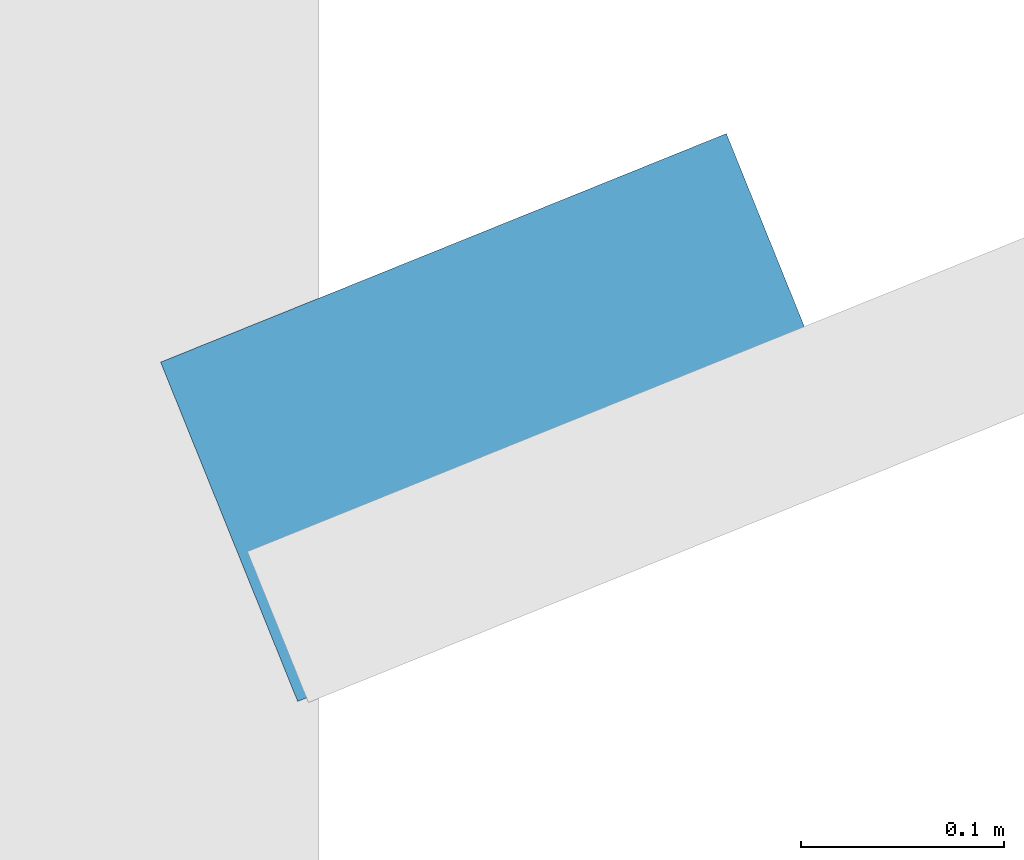
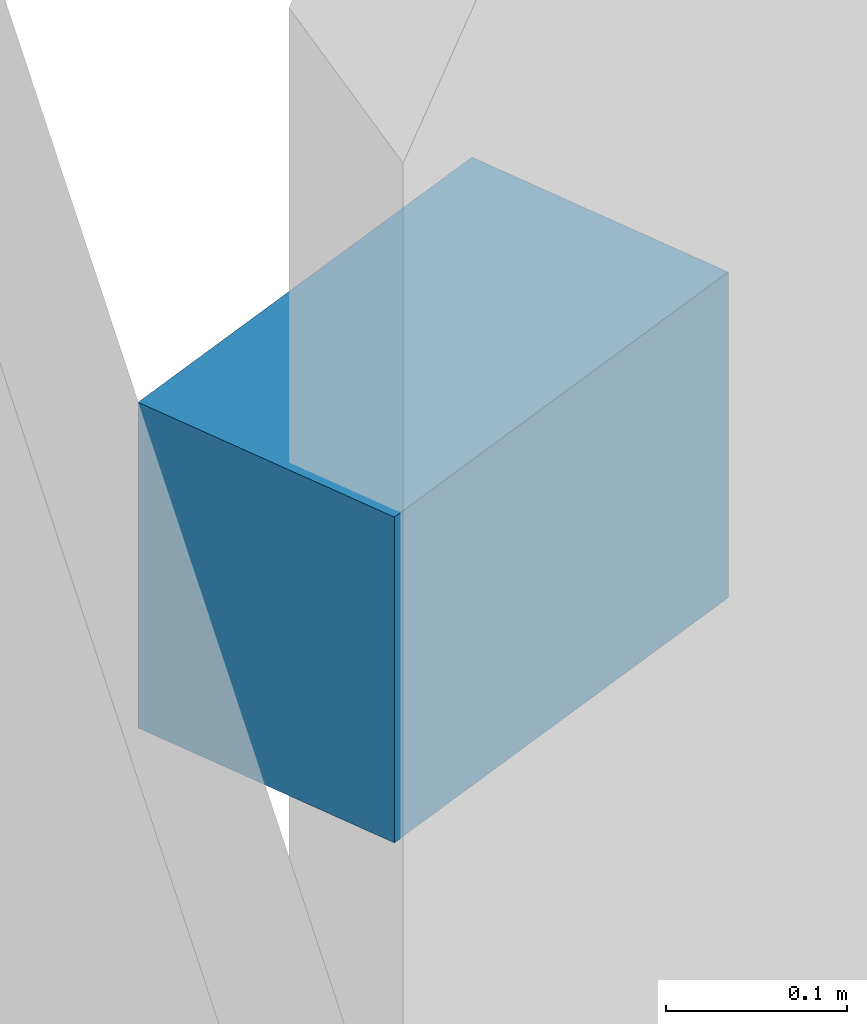
# One storey, part 79 of 89: 1 discrete accessory.
"""IFC4 building model written with IfcOpenShell, lengths in metres."""

from ifc_helpers import new_model, si_unit, direction, frame, origin, origin_2d, place, context, subcontext, project, spatial, rectangle, extrude, material, type_object, element, save


model = new_model("IFC4")

# Units and contexts
model_context = context("Model", 3, precision=1e-05, world=origin(), true_north=direction((0.0, 1.0)))
body_context = subcontext(model_context, "Body", "Model", "MODEL_VIEW")
ifc_project = project(units=[si_unit("LENGTHUNIT", "METRE"), si_unit("AREAUNIT", "SQUARE_METRE"), si_unit("VOLUMEUNIT", "CUBIC_METRE"), si_unit("PLANEANGLEUNIT", "RADIAN"), si_unit("MASSUNIT", "GRAM", prefix="KILO")], contexts=[model_context])

# Site, building, storey
site_placement = place(None, origin())
site = spatial("IfcSite", under=ifc_project, at=site_placement, CompositionType="ELEMENT")
building_placement = place(site_placement, origin())
building = spatial("IfcBuilding", under=site, at=building_placement, Name="Vaudrelin Polytechnic", CompositionType="ELEMENT")
storey_placement = place(building_placement, frame((0.0, 0.0, 9.68994140625)))
storey = spatial("IfcBuildingStorey", under=building, at=storey_placement, Name="L02", CompositionType="ELEMENT", Elevation=9.68994140625)

# Discrete accessory
ifc_material = material(Name="Galvanised steel CSA G40.21 350W", Category="steel")
discrete_accessory_type = type_object("IfcDiscreteAccessoryType", Name="ENV-BRK-01", PredefinedType="BRACKET", material=ifc_material)
discrete_accessory_placement = place(storey_placement, frame((170.39501953125, 93.14990234375, 0.990234375), z_axis=(0.0, 0.0, 1.0), x_axis=(0.927183854567, 0.374606593416, 0.0)))
element("IfcDiscreteAccessory", 1, at=discrete_accessory_placement, inside=storey, type_object=discrete_accessory_type, Name="Solar fin support bracket BRK-029", PredefinedType="BRACKET", context=body_context, shape_type="SweptSolid", body=[
    extrude(rectangle(XDim=0.300048828125, YDim=0.179931640625, at=origin_2d()), origin(), (0.0, 0.0, 1.0), 0.219970703125),
])

save(model, "model.ifc")
